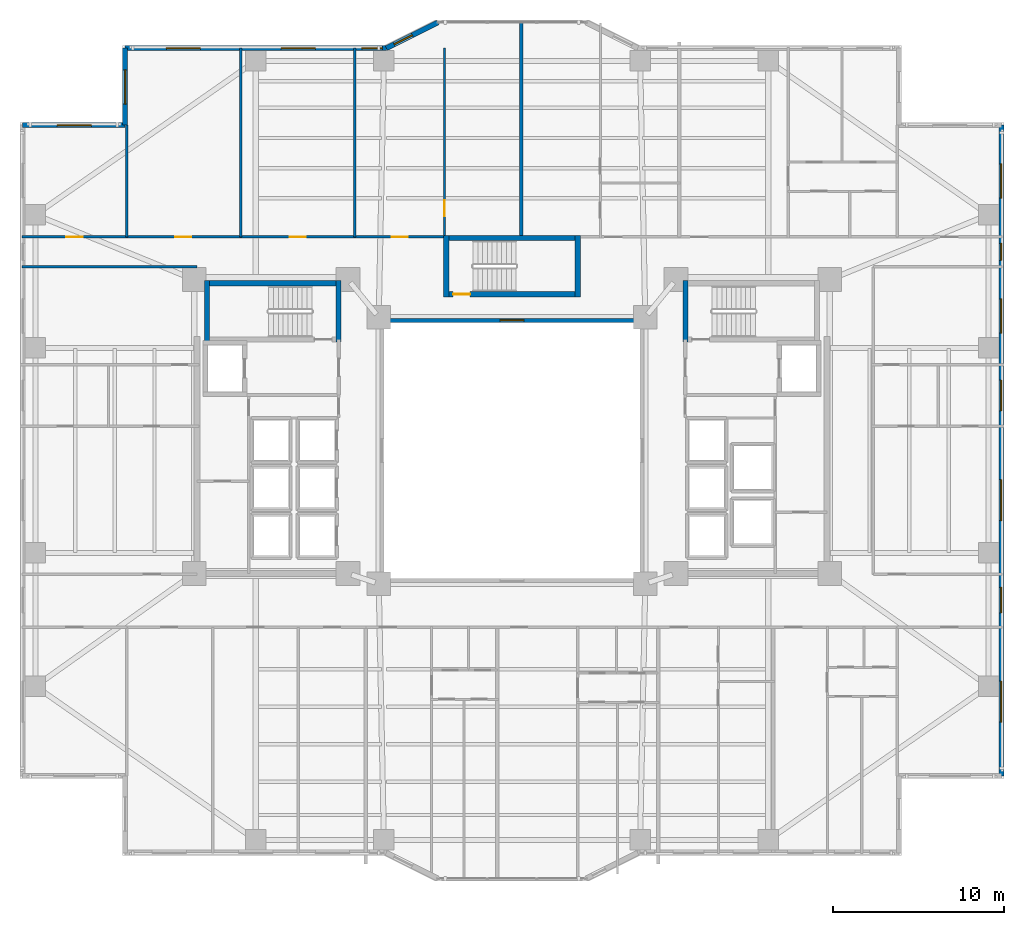
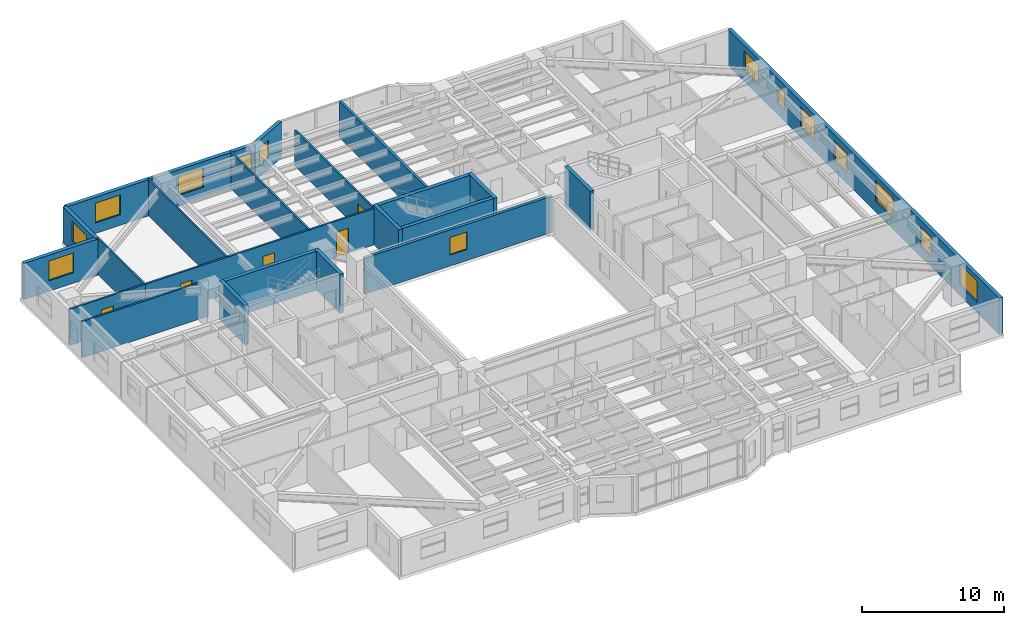
# One storey, part 14 of 21: 22 walls, 14 windows, 6 doors, 20 openings.
"""IFC4 building model written with IfcOpenShell, lengths in metres."""

from ifc_helpers import new_model, si_unit, direction, frame, frame_2d, origin, place, context, subcontext, project, spatial, rectangle, extrude, material, layer, layer_set, type_object, element, fill, save


model = new_model("IFC4")

# Units and contexts
model_context = context("Model", 3, precision=1e-05, world=origin(), true_north=direction((0.0, 1.0)))
body_context = subcontext(model_context, "Body", "Model", "MODEL_VIEW")
ifc_project = project(units=[si_unit("LENGTHUNIT", "METRE"), si_unit("AREAUNIT", "SQUARE_METRE"), si_unit("VOLUMEUNIT", "CUBIC_METRE"), si_unit("PLANEANGLEUNIT", "RADIAN"), si_unit("MASSUNIT", "GRAM", prefix="KILO")], contexts=[model_context])

# Site, building, storey
site_placement = place(None, origin())
site = spatial("IfcSite", under=ifc_project, at=site_placement, CompositionType="ELEMENT")
building_placement = place(site_placement, origin())
building = spatial("IfcBuilding", under=site, at=building_placement, Name="Tarnavaz Court Tower", CompositionType="ELEMENT")
storey_placement = place(building_placement, frame((0.0, 0.0, 47.449951171875)))
storey = spatial("IfcBuildingStorey", under=building, at=storey_placement, Name="L12", CompositionType="ELEMENT", Elevation=47.449951171875)

# Walls
ifc_material_1 = material(Name="Concrete C60/75", Category="concrete")
ifc_layer_1 = layer(ifc_material_1, 0.300048828125)
ifc_layer_set_1 = layer_set([ifc_layer_1], Name="Concrete C60/75")
wall_type_1 = type_object("IfcWallType", Name="WL-CORE-300-C60", PredefinedType="SHEAR", material=ifc_layer_set_1)
wall_1_placement = place(storey_placement, frame((-18.0, 9.7900390625, 0.0), z_axis=(0.0, 0.0, 1.0), x_axis=(1.0, 0.0, 0.0)))
element("IfcWall", 1, at=wall_1_placement, inside=storey, type_object=wall_type_1, Name="L12 West Stair Core Wall 001", PredefinedType="SHEAR", context=body_context, shape_type="SweptSolid", body=[
    extrude(rectangle(XDim=8.0, YDim=0.300048828125, at=frame_2d((4.0, 0.0))), origin(), (0.0, 0.0, 1.0), 3.35009765625),
])
for number, where, z_axis, x_axis, name in (
    (2, (-17.85009765625, 6.35009765625, 0.0), (0.0, 0.0, 1.0), (0.0, 1.0, 0.0), "L12 West Stair Core Wall 003"),
    (3, (-10.14990234375, 6.35009765625, 0.0), (0.0, 0.0, 1.0), (0.0, 1.0, 0.0), "L12 West Stair Core Wall 004"),
    (4, (10.14990234375, 6.35009765625, 0.0), (0.0, 0.0, 1.0), (0.0, 1.0, 0.0), "L12 East Stair Core Wall 007"),
):
    element("IfcWall", number, at=place(storey_placement, frame(where, z_axis=z_axis, x_axis=x_axis)), inside=storey, type_object=wall_type_1, Name=name, PredefinedType="SHEAR", context=body_context, shape_type="SweptSolid", body=[
        extrude(rectangle(XDim=3.58984375, YDim=0.300048828125, at=frame_2d((1.794921875, 0.0))), origin(), (0.0, 0.0, 1.0), 3.35009765625),
    ])
wall_2_placement = place(storey_placement, frame((-4.0, 12.43994140625, 0.0), z_axis=(0.0, 0.0, 1.0), x_axis=(1.0, 0.0, 0.0)))
element("IfcWall", 5, at=wall_2_placement, inside=storey, type_object=wall_type_1, Name="L12 North Stair Core Wall 009", PredefinedType="SHEAR", context=body_context, shape_type="SweptSolid", body=[
    extrude(rectangle(XDim=8.0, YDim=0.300048828125, at=frame_2d((4.0, 0.0))), origin(), (0.0, 0.0, 1.0), 3.35009765625),
])

# Wall, opening, door
wall_3_placement = place(storey_placement, frame((-4.0, 9.14990234375, 0.0), z_axis=(0.0, 0.0, 1.0), x_axis=(1.0, 0.0, 0.0)))
wall_3 = element("IfcWall", 6, at=wall_3_placement, inside=storey, type_object=wall_type_1, Name="L12 North Stair Core Wall 010", PredefinedType="SHEAR", context=body_context, shape_type="SweptSolid", body=[
    extrude(rectangle(XDim=8.0, YDim=0.300048828125, at=frame_2d((4.0, 0.0))), origin(), (0.0, 0.0, 1.0), 3.35009765625),
])
opening_1_placement = place(wall_3_placement, frame((0.550048828125, 0.0, 0.0)))
opening_1 = element("IfcOpeningElement", 7, at=opening_1_placement, cuts=wall_3, Name="Opening D01", PredefinedType="OPENING", context=body_context, shape_type="SweptSolid", body=[
    extrude(rectangle(XDim=1.0, YDim=2.14990234375, at=frame_2d((0.5, 1.074951171875))), frame((0.0, 0.159912109375, 0.0), z_axis=(0.0, -1.0, 0.0), x_axis=(1.0, 0.0, 0.0)), (0.0, 0.0, 1.0), 0.320068359375),
])
ifc_material_2 = material(Name="Fire-Rated Hardwood Timber Core", Category="wood")
door_type_1 = type_object("IfcDoorType", Name="DR-FD90-1000", OperationType="NOTDEFINED", PredefinedType="DOOR", material=ifc_material_2)
door_1_placement = place(opening_1_placement, origin())
door_1 = element("IfcDoor", 8, at=door_1_placement, inside=storey, type_object=door_type_1, Name="L12 Stair ST-N1 Exit Door", OperationType="SINGLE_SWING_LEFT", OverallHeight=2.14990234375, OverallWidth=1.0, PredefinedType="DOOR", context=body_context, shape_type="SweptSolid", body=[
    extrude(rectangle(XDim=1.0, YDim=2.14990234375, at=frame_2d((0.5, 1.074951171875))), frame((0.0, 0.02490234375, 0.0), z_axis=(0.0, -1.0, 0.0), x_axis=(1.0, 0.0, 0.0)), (0.0, 0.0, 1.0), 0.050048828125),
])
fill(opening_1, door_1)

# Walls
for number, where, z_axis, x_axis, name in (
    (9, (-3.85009765625, 9.0, 0.0), (0.0, 0.0, 1.0), (0.0, 1.0, 0.0), "L12 North Stair Core Wall 011"),
    (10, (3.85009765625, 9.0, 0.0), (0.0, 0.0, 1.0), (0.0, 1.0, 0.0), "L12 North Stair Core Wall 012"),
):
    element("IfcWall", number, at=place(storey_placement, frame(where, z_axis=z_axis, x_axis=x_axis)), inside=storey, type_object=wall_type_1, Name=name, PredefinedType="SHEAR", context=body_context, shape_type="SweptSolid", body=[
        extrude(rectangle(XDim=3.590087890625, YDim=0.300048828125, at=frame_2d((1.794921875, 0.0))), origin(), (0.0, 0.0, 1.0), 3.35009765625),
    ])

# Wall, opening, window
ifc_material_3 = material(Name="Precast Concrete C40/50", Category="concrete")
ifc_layer_2 = layer(ifc_material_3, 0.300048828125)
ifc_layer_set_2 = layer_set([ifc_layer_2], Name="Precast Concrete C40/50")
wall_type_2 = type_object("IfcWallType", Name="WL-EXT-300", PredefinedType="SOLIDWALL", material=ifc_layer_set_2)
wall_4_placement = place(storey_placement, frame((-28.64990234375, 19.050048828125, 0.0), z_axis=(0.0, 0.0, 1.0), x_axis=(1.0, 0.0, 0.0)))
wall_4 = element("IfcWall", 11, at=wall_4_placement, inside=storey, type_object=wall_type_2, Name="L12 Exterior Terracotta Facade Wall 03", PredefinedType="SOLIDWALL", context=body_context, shape_type="SweptSolid", body=[
    extrude(rectangle(XDim=6.0, YDim=0.300048828125, at=frame_2d((3.0, 0.0))), origin(), (0.0, 0.0, 1.0), 3.10009765625),
])
opening_2_placement = place(wall_4_placement, frame((2.02490234375, 0.0, 0.89990234375)))
opening_2 = element("IfcOpeningElement", 12, at=opening_2_placement, cuts=wall_4, Name="Opening W08", PredefinedType="OPENING", context=body_context, shape_type="SweptSolid", body=[
    extrude(rectangle(XDim=2.0, YDim=1.699951171875, at=frame_2d((1.0, 0.85009765625))), frame((0.0, 0.159912109375, 0.0), z_axis=(0.0, -1.0, 0.0), x_axis=(1.0, 0.0, 0.0)), (0.0, 0.0, 1.0), 0.320068359375),
])
ifc_material_4 = material(Name="Double-Glazed Solar Low-E Glass", Category="glass")
window_type_1 = type_object("IfcWindowType", Name="WN-APT-2000", PartitioningType="DOUBLE_PANEL_VERTICAL", PredefinedType="WINDOW", material=ifc_material_4)
window_1_placement = place(opening_2_placement, origin())
window_1 = element("IfcWindow", 13, at=window_1_placement, inside=storey, type_object=window_type_1, Name="L12 North-West Corner Sunroom Study Window", OverallHeight=1.699951171875, OverallWidth=2.0, PartitioningType="SINGLE_PANEL", PredefinedType="WINDOW", context=body_context, shape_type="SweptSolid", body=[
    extrude(rectangle(XDim=2.0, YDim=1.699951171875, at=frame_2d((1.0, 0.85009765625))), frame((0.0, 0.030029296875, 0.0), z_axis=(0.0, -1.0, 0.0), x_axis=(1.0, 0.0, 0.0)), (0.0, 0.0, 1.0), 0.06005859375),
])
fill(opening_2, window_1)

wall_5_placement = place(storey_placement, frame((-22.64990234375, 19.050048828125, 0.0), z_axis=(0.0, 0.0, 1.0), x_axis=(0.0, 1.0, 0.0)))
wall_5 = element("IfcWall", 14, at=wall_5_placement, inside=storey, type_object=wall_type_2, Name="L12 Exterior Terracotta Facade Wall 04", PredefinedType="SOLIDWALL", context=body_context, shape_type="SweptSolid", body=[
    extrude(rectangle(XDim=4.5, YDim=0.300048828125, at=frame_2d((2.25, 0.0))), origin(), (0.0, 0.0, 1.0), 3.10009765625),
])
opening_3_placement = place(wall_5_placement, frame((1.232421875, 0.0, 0.89990234375)))
opening_3 = element("IfcOpeningElement", 15, at=opening_3_placement, cuts=wall_5, Name="Opening W08", PredefinedType="OPENING", context=body_context, shape_type="SweptSolid", body=[
    extrude(rectangle(XDim=2.0, YDim=1.699951171875, at=frame_2d((1.0, 0.85009765625))), frame((0.0, 0.159912109375, 0.0), z_axis=(0.0, -1.0, 0.0), x_axis=(1.0, 0.0, 0.0)), (0.0, 0.0, 1.0), 0.320068359375),
])
window_2_placement = place(opening_3_placement, origin())
window_2 = element("IfcWindow", 16, at=window_2_placement, inside=storey, type_object=window_type_1, Name="L12 Resident Fitness and Yoga Studio Window", OverallHeight=1.699951171875, OverallWidth=2.0, PartitioningType="SINGLE_PANEL", PredefinedType="WINDOW", context=body_context, shape_type="SweptSolid", body=[
    extrude(rectangle(XDim=2.0, YDim=1.699951171875, at=frame_2d((1.0, 0.85009765625))), frame((0.0, 0.030029296875, 0.0), z_axis=(0.0, -1.0, 0.0), x_axis=(1.0, 0.0, 0.0)), (0.0, 0.0, 1.0), 0.06005859375),
])
fill(opening_3, window_2)

# Wall, openings, windows
wall_6_placement = place(storey_placement, frame((-22.64990234375, 23.550048828125, 0.0), z_axis=(0.0, 0.0, 1.0), x_axis=(1.0, 0.0, 0.0)))
wall_6 = element("IfcWall", 17, at=wall_6_placement, inside=storey, type_object=wall_type_2, Name="L12 Exterior Terracotta Facade Wall 05", PredefinedType="SOLIDWALL", context=body_context, shape_type="SweptSolid", body=[
    extrude(rectangle(XDim=15.2998046875, YDim=0.300048828125, at=frame_2d((7.64990234375, 0.0))), origin(), (0.0, 0.0, 1.0), 3.10009765625),
])
opening_4_placement = place(wall_6_placement, frame((2.4111328125, 0.0, 0.89990234375)))
opening_4 = element("IfcOpeningElement", 18, at=opening_4_placement, cuts=wall_6, Name="Opening W08", PredefinedType="OPENING", context=body_context, shape_type="SweptSolid", body=[
    extrude(rectangle(XDim=2.0, YDim=1.699951171875, at=frame_2d((1.0, 0.85009765625))), frame((0.0, 0.159912109375, 0.0), z_axis=(0.0, -1.0, 0.0), x_axis=(1.0, 0.0, 0.0)), (0.0, 0.0, 1.0), 0.320068359375),
])
opening_5_placement = place(wall_6_placement, frame((9.133056640625, 0.0, 0.89990234375)))
opening_5 = element("IfcOpeningElement", 19, at=opening_5_placement, cuts=wall_6, Name="Opening W08", PredefinedType="OPENING", context=body_context, shape_type="SweptSolid", body=[
    extrude(rectangle(XDim=2.0, YDim=1.699951171875, at=frame_2d((1.0, 0.85009765625))), frame((0.0, 0.159912109375, 0.0), z_axis=(0.0, -1.0, 0.0), x_axis=(1.0, 0.0, 0.0)), (0.0, 0.0, 1.0), 0.320068359375),
])
opening_6_placement = place(wall_6_placement, frame((13.862060546875, 0.0, 0.949951171875)))
opening_6 = element("IfcOpeningElement", 20, at=opening_6_placement, cuts=wall_6, Name="Opening W05", PredefinedType="OPENING", context=body_context, shape_type="SweptSolid", body=[
    extrude(rectangle(XDim=1.199951171875, YDim=1.5, at=frame_2d((0.60009765625, 0.75))), frame((0.0, 0.159912109375, 0.0), z_axis=(0.0, -1.0, 0.0), x_axis=(1.0, 0.0, 0.0)), (0.0, 0.0, 1.0), 0.320068359375),
])
window_type_2 = type_object("IfcWindowType", Name="WN-APT-1200", PartitioningType="SINGLE_PANEL", PredefinedType="WINDOW", material=ifc_material_4)
window_3_placement = place(opening_6_placement, origin())
window_3 = element("IfcWindow", 21, at=window_3_placement, inside=storey, type_object=window_type_2, Name="L12 Shared Community Tea Pantry Window", OverallHeight=1.5, OverallWidth=1.199951171875, PartitioningType="SINGLE_PANEL", PredefinedType="WINDOW", context=body_context, shape_type="SweptSolid", body=[
    extrude(rectangle(XDim=1.199951171875, YDim=1.5, at=frame_2d((0.60009765625, 0.75))), frame((0.0, 0.030029296875, 0.0), z_axis=(0.0, -1.0, 0.0), x_axis=(1.0, 0.0, 0.0)), (0.0, 0.0, 1.0), 0.06005859375),
])
fill(opening_6, window_3)
window_4_placement = place(opening_4_placement, origin())
window_4 = element("IfcWindow", 22, at=window_4_placement, inside=storey, type_object=window_type_1, Name="L12 Resident Fitness and Yoga Studio Window", OverallHeight=1.699951171875, OverallWidth=2.0, PartitioningType="SINGLE_PANEL", PredefinedType="WINDOW", context=body_context, shape_type="SweptSolid", body=[
    extrude(rectangle(XDim=2.0, YDim=1.699951171875, at=frame_2d((1.0, 0.85009765625))), frame((0.0, 0.030029296875, 0.0), z_axis=(0.0, -1.0, 0.0), x_axis=(1.0, 0.0, 0.0)), (0.0, 0.0, 1.0), 0.06005859375),
])
fill(opening_4, window_4)
window_5_placement = place(opening_5_placement, origin())
window_5 = element("IfcWindow", 23, at=window_5_placement, inside=storey, type_object=window_type_1, Name="L12 Children Playroom and Daycare Window", OverallHeight=1.699951171875, OverallWidth=2.0, PartitioningType="SINGLE_PANEL", PredefinedType="WINDOW", context=body_context, shape_type="SweptSolid", body=[
    extrude(rectangle(XDim=2.0, YDim=1.699951171875, at=frame_2d((1.0, 0.85009765625))), frame((0.0, 0.030029296875, 0.0), z_axis=(0.0, -1.0, 0.0), x_axis=(1.0, 0.0, 0.0)), (0.0, 0.0, 1.0), 0.06005859375),
])
fill(opening_5, window_5)

# Wall, opening, window
wall_7_placement = place(storey_placement, frame((-7.35009765625, 23.550048828125, 0.0), z_axis=(0.0, 0.0, 1.0), x_axis=(0.894427191, 0.4472135955, 0.0)))
wall_7 = element("IfcWall", 24, at=wall_7_placement, inside=storey, type_object=wall_type_2, Name="L12 Exterior Terracotta Facade Wall 06", PredefinedType="SOLIDWALL", context=body_context, shape_type="SweptSolid", body=[
    extrude(rectangle(XDim=3.35400390625, YDim=0.300048828125, at=frame_2d((1.677001953125, 0.0))), origin(), (0.0, 0.0, 1.0), 3.10009765625),
])
opening_7_placement = place(wall_7_placement, frame((0.501220703125, 0.0, 0.949951171875)))
opening_7 = element("IfcOpeningElement", 25, at=opening_7_placement, cuts=wall_7, Name="Opening W05", PredefinedType="OPENING", context=body_context, shape_type="SweptSolid", body=[
    extrude(rectangle(XDim=1.199951171875, YDim=1.5, at=frame_2d((0.60009765625, 0.75))), frame((0.0, 0.159912109375, 0.0), z_axis=(0.0, -1.0, 0.0), x_axis=(1.0, 0.0, 0.0)), (0.0, 0.0, 1.0), 0.320068359375),
])
window_6_placement = place(opening_7_placement, origin())
window_6 = element("IfcWindow", 26, at=window_6_placement, inside=storey, type_object=window_type_2, Name="L12 Shared Community Tea Pantry Window", OverallHeight=1.5, OverallWidth=1.199951171875, PartitioningType="SINGLE_PANEL", PredefinedType="WINDOW", context=body_context, shape_type="SweptSolid", body=[
    extrude(rectangle(XDim=1.199951171875, YDim=1.5, at=frame_2d((0.60009765625, 0.75))), frame((0.0, 0.030029296875, 0.0), z_axis=(0.0, -1.0, 0.0), x_axis=(1.0, 0.0, 0.0)), (0.0, 0.0, 1.0), 0.06005859375),
])
fill(opening_7, window_6)

# Wall, openings, windows
wall_8_placement = place(storey_placement, frame((28.64990234375, 19.050048828125, 0.0), z_axis=(0.0, 0.0, 1.0), x_axis=(0.0, -1.0, 0.0)))
wall_8 = element("IfcWall", 27, at=wall_8_placement, inside=storey, type_object=wall_type_2, Name="L12 Exterior Terracotta Facade Wall 12", PredefinedType="SOLIDWALL", context=body_context, shape_type="SweptSolid", body=[
    extrude(rectangle(XDim=38.10009765625, YDim=0.300048828125, at=frame_2d((19.050048828125, 0.0))), origin(), (0.0, 0.0, 1.0), 3.10009765625),
])
opening_8_placement = place(wall_8_placement, frame((2.27490234375, 0.0, 0.89990234375)))
opening_8 = element("IfcOpeningElement", 28, at=opening_8_placement, cuts=wall_8, Name="Opening W08", PredefinedType="OPENING", context=body_context, shape_type="SweptSolid", body=[
    extrude(rectangle(XDim=2.0, YDim=1.699951171875, at=frame_2d((1.0, 0.85009765625))), frame((0.0, 0.159912109375, 0.0), z_axis=(0.0, -1.0, 0.0), x_axis=(1.0, 0.0, 0.0)), (0.0, 0.0, 1.0), 0.320068359375),
])
opening_9_placement = place(wall_8_placement, frame((6.925048828125, 0.0, 0.949951171875)))
opening_9 = element("IfcOpeningElement", 29, at=opening_9_placement, cuts=wall_8, Name="Opening W14", PredefinedType="OPENING", context=body_context, shape_type="SweptSolid", body=[
    extrude(rectangle(XDim=1.0, YDim=1.5, at=frame_2d((0.5, 0.75))), frame((0.0, 0.159912109375, 0.0), z_axis=(0.0, -1.0, 0.0), x_axis=(1.0, 0.0, 0.0)), (0.0, 0.0, 1.0), 0.320068359375),
])
opening_10_placement = place(wall_8_placement, frame((10.175048828125, 0.0, 0.89990234375)))
opening_10 = element("IfcOpeningElement", 30, at=opening_10_placement, cuts=wall_8, Name="Opening W08", PredefinedType="OPENING", context=body_context, shape_type="SweptSolid", body=[
    extrude(rectangle(XDim=2.0, YDim=1.699951171875, at=frame_2d((1.0, 0.85009765625))), frame((0.0, 0.159912109375, 0.0), z_axis=(0.0, -1.0, 0.0), x_axis=(1.0, 0.0, 0.0)), (0.0, 0.0, 1.0), 0.320068359375),
])
opening_11_placement = place(wall_8_placement, frame((14.925048828125, 0.0, 0.89990234375)))
opening_11 = element("IfcOpeningElement", 31, at=opening_11_placement, cuts=wall_8, Name="Opening W01", PredefinedType="OPENING", context=body_context, shape_type="SweptSolid", body=[
    extrude(rectangle(XDim=1.800048828125, YDim=1.64990234375, at=frame_2d((0.89990234375, 0.824951171875))), frame((0.0, 0.159912109375, 0.0), z_axis=(0.0, -1.0, 0.0), x_axis=(1.0, 0.0, 0.0)), (0.0, 0.0, 1.0), 0.320068359375),
])
opening_12_placement = place(wall_8_placement, frame((20.75, 0.0, 0.89990234375)))
opening_12 = element("IfcOpeningElement", 32, at=opening_12_placement, cuts=wall_8, Name="Opening W06", PredefinedType="OPENING", context=body_context, shape_type="SweptSolid", body=[
    extrude(rectangle(XDim=2.39990234375, YDim=1.800048828125, at=frame_2d((1.199951171875, 0.89990234375))), frame((0.0, 0.159912109375, 0.0), z_axis=(0.0, -1.0, 0.0), x_axis=(1.0, 0.0, 0.0)), (0.0, 0.0, 1.0), 0.320068359375),
])
opening_13_placement = place(wall_8_placement, frame((27.0576171875, 0.0, 0.89990234375)))
opening_13 = element("IfcOpeningElement", 33, at=opening_13_placement, cuts=wall_8, Name="Opening W03", PredefinedType="OPENING", context=body_context, shape_type="SweptSolid", body=[
    extrude(rectangle(XDim=1.5, YDim=1.64990234375, at=frame_2d((0.75, 0.824951171875))), frame((0.0, 0.159912109375, 0.0), z_axis=(0.0, -1.0, 0.0), x_axis=(1.0, 0.0, 0.0)), (0.0, 0.0, 1.0), 0.320068359375),
])
opening_14_placement = place(wall_8_placement, frame((32.550048828125, 0.0, 0.89990234375)))
opening_14 = element("IfcOpeningElement", 34, at=opening_14_placement, cuts=wall_8, Name="Opening W06", PredefinedType="OPENING", context=body_context, shape_type="SweptSolid", body=[
    extrude(rectangle(XDim=2.39990234375, YDim=1.800048828125, at=frame_2d((1.199951171875, 0.89990234375))), frame((0.0, 0.159912109375, 0.0), z_axis=(0.0, -1.0, 0.0), x_axis=(1.0, 0.0, 0.0)), (0.0, 0.0, 1.0), 0.320068359375),
])
window_type_3 = type_object("IfcWindowType", Name="WN-APT-1000", PartitioningType="SINGLE_PANEL", PredefinedType="WINDOW", material=ifc_material_4)
window_7_placement = place(opening_9_placement, origin())
window_7 = element("IfcWindow", 35, at=window_7_placement, inside=storey, type_object=window_type_3, Name="L12 North-East Corner Corridor Window", OverallHeight=1.5, OverallWidth=1.0, PartitioningType="SINGLE_PANEL", PredefinedType="WINDOW", context=body_context, shape_type="SweptSolid", body=[
    extrude(rectangle(XDim=1.0, YDim=1.5, at=frame_2d((0.5, 0.75))), frame((0.0, 0.030029296875, 0.0), z_axis=(0.0, -1.0, 0.0), x_axis=(1.0, 0.0, 0.0)), (0.0, 0.0, 1.0), 0.06005859375),
])
fill(opening_9, window_7)
window_type_4 = type_object("IfcWindowType", Name="WN-APT-1500", PartitioningType="DOUBLE_PANEL_VERTICAL", PredefinedType="WINDOW", material=ifc_material_4)
window_8_placement = place(opening_13_placement, origin())
window_8 = element("IfcWindow", 36, at=window_8_placement, inside=storey, type_object=window_type_4, Name="L12 South-East Corner Corridor Window", OverallHeight=1.64990234375, OverallWidth=1.5, PartitioningType="SINGLE_PANEL", PredefinedType="WINDOW", context=body_context, shape_type="SweptSolid", body=[
    extrude(rectangle(XDim=1.5, YDim=1.64990234375, at=frame_2d((0.75, 0.824951171875))), frame((0.0, 0.030029296875, 0.0), z_axis=(0.0, -1.0, 0.0), x_axis=(1.0, 0.0, 0.0)), (0.0, 0.0, 1.0), 0.06005859375),
])
fill(opening_13, window_8)
window_type_5 = type_object("IfcWindowType", Name="WN-APT-1800", PartitioningType="DOUBLE_PANEL_VERTICAL", PredefinedType="WINDOW", material=ifc_material_4)
window_9_placement = place(opening_11_placement, origin())
window_9 = element("IfcWindow", 37, at=window_9_placement, inside=storey, type_object=window_type_5, Name="L12 Flat 08 Bathroom Window", OverallHeight=1.64990234375, OverallWidth=1.800048828125, PartitioningType="SINGLE_PANEL", PredefinedType="WINDOW", context=body_context, shape_type="SweptSolid", body=[
    extrude(rectangle(XDim=1.800048828125, YDim=1.64990234375, at=frame_2d((0.89990234375, 0.824951171875))), frame((0.0, 0.030029296875, 0.0), z_axis=(0.0, -1.0, 0.0), x_axis=(1.0, 0.0, 0.0)), (0.0, 0.0, 1.0), 0.06005859375),
])
fill(opening_11, window_9)
window_10_placement = place(opening_8_placement, origin())
window_10 = element("IfcWindow", 38, at=window_10_placement, inside=storey, type_object=window_type_1, Name="L12 North-East Corner Sunroom Study Window", OverallHeight=1.699951171875, OverallWidth=2.0, PartitioningType="SINGLE_PANEL", PredefinedType="WINDOW", context=body_context, shape_type="SweptSolid", body=[
    extrude(rectangle(XDim=2.0, YDim=1.699951171875, at=frame_2d((1.0, 0.85009765625))), frame((0.0, 0.030029296875, 0.0), z_axis=(0.0, -1.0, 0.0), x_axis=(1.0, 0.0, 0.0)), (0.0, 0.0, 1.0), 0.06005859375),
])
fill(opening_8, window_10)
window_11_placement = place(opening_10_placement, origin())
window_11 = element("IfcWindow", 39, at=window_11_placement, inside=storey, type_object=window_type_1, Name="L12 Flat 08 Study Room Window", OverallHeight=1.699951171875, OverallWidth=2.0, PartitioningType="SINGLE_PANEL", PredefinedType="WINDOW", context=body_context, shape_type="SweptSolid", body=[
    extrude(rectangle(XDim=2.0, YDim=1.699951171875, at=frame_2d((1.0, 0.85009765625))), frame((0.0, 0.030029296875, 0.0), z_axis=(0.0, -1.0, 0.0), x_axis=(1.0, 0.0, 0.0)), (0.0, 0.0, 1.0), 0.06005859375),
])
fill(opening_10, window_11)
window_type_6 = type_object("IfcWindowType", Name="WN-APT-2400", PartitioningType="TRIPLE_PANEL_VERTICAL", PredefinedType="WINDOW", material=ifc_material_4)
window_12_placement = place(opening_12_placement, origin())
window_12 = element("IfcWindow", 40, at=window_12_placement, inside=storey, type_object=window_type_6, Name="L12 Flat 08 Studio Living and Sleeping Room Window", OverallHeight=1.800048828125, OverallWidth=2.39990234375, PartitioningType="SINGLE_PANEL", PredefinedType="WINDOW", context=body_context, shape_type="SweptSolid", body=[
    extrude(rectangle(XDim=2.39990234375, YDim=1.800048828125, at=frame_2d((1.199951171875, 0.89990234375))), frame((0.0, 0.030029296875, 0.0), z_axis=(0.0, -1.0, 0.0), x_axis=(1.0, 0.0, 0.0)), (0.0, 0.0, 1.0), 0.06005859375),
])
fill(opening_12, window_12)
window_13_placement = place(opening_14_placement, origin())
window_13 = element("IfcWindow", 41, at=window_13_placement, inside=storey, type_object=window_type_6, Name="L12 South-East Corner Reading Room Window", OverallHeight=1.800048828125, OverallWidth=2.39990234375, PartitioningType="SINGLE_PANEL", PredefinedType="WINDOW", context=body_context, shape_type="SweptSolid", body=[
    extrude(rectangle(XDim=2.39990234375, YDim=1.800048828125, at=frame_2d((1.199951171875, 0.89990234375))), frame((0.0, 0.030029296875, 0.0), z_axis=(0.0, -1.0, 0.0), x_axis=(1.0, 0.0, 0.0)), (0.0, 0.0, 1.0), 0.06005859375),
])
fill(opening_14, window_13)

# Wall, openings, doors
ifc_material_5 = material(Name="Gypsum Fire-Board on Acoustic Metal Stud", Category="masonry")
ifc_layer_3 = layer(ifc_material_5, 0.14990234375)
ifc_layer_set_3 = layer_set([ifc_layer_3], Name="Gypsum Fire-Board on Acoustic Metal Stud")
wall_type_3 = type_object("IfcWallType", Name="WL-FIRE-150", PredefinedType="PARTITIONING", material=ifc_layer_set_3)
wall_9_placement = place(storey_placement, frame((-22.550048828125, 12.5, 0.0), z_axis=(0.0, 0.0, 1.0), x_axis=(1.0, 0.0, 0.0)))
wall_9 = element("IfcWall", 42, at=wall_9_placement, inside=storey, type_object=wall_type_3, Name="L12 NW Wing Corridor Wall 081", PredefinedType="PARTITIONING", context=body_context, shape_type="SweptSolid", body=[
    extrude(rectangle(XDim=18.699951171875, YDim=0.14990234375, at=frame_2d((9.35009765625, 0.0))), origin(), (0.0, 0.0, 1.0), 3.10009765625),
])
opening_15_placement = place(wall_9_placement, frame((2.83203125, 0.0, 0.0)))
opening_15 = element("IfcOpeningElement", 43, at=opening_15_placement, cuts=wall_9, Name="Opening D13", PredefinedType="OPENING", context=body_context, shape_type="SweptSolid", body=[
    extrude(rectangle(XDim=0.949951171875, YDim=2.14990234375, at=frame_2d((0.47509765625, 1.074951171875))), frame((0.0, 0.0849609375, 0.0), z_axis=(0.0, -1.0, 0.0), x_axis=(1.0, 0.0, 0.0)), (0.0, 0.0, 1.0), 0.169921875),
])
opening_16_placement = place(wall_9_placement, frame((9.537109375, 0.0, 0.0)))
opening_16 = element("IfcOpeningElement", 44, at=opening_16_placement, cuts=wall_9, Name="Opening D13", PredefinedType="OPENING", context=body_context, shape_type="SweptSolid", body=[
    extrude(rectangle(XDim=0.949951171875, YDim=2.14990234375, at=frame_2d((0.47509765625, 1.074951171875))), frame((0.0, 0.0849609375, 0.0), z_axis=(0.0, -1.0, 0.0), x_axis=(1.0, 0.0, 0.0)), (0.0, 0.0, 1.0), 0.169921875),
])
opening_17_placement = place(wall_9_placement, frame((15.5, 0.0, 0.0)))
opening_17 = element("IfcOpeningElement", 45, at=opening_17_placement, cuts=wall_9, Name="Opening D13", PredefinedType="OPENING", context=body_context, shape_type="SweptSolid", body=[
    extrude(rectangle(XDim=0.949951171875, YDim=2.14990234375, at=frame_2d((0.47509765625, 1.074951171875))), frame((0.0, 0.0849609375, 0.0), z_axis=(0.0, -1.0, 0.0), x_axis=(1.0, 0.0, 0.0)), (0.0, 0.0, 1.0), 0.169921875),
])
ifc_material_6 = material(Name="Engineered Oak Timber", Category="wood")
door_type_2 = type_object("IfcDoorType", Name="DR-INT-950", OperationType="NOTDEFINED", PredefinedType="DOOR", material=ifc_material_6)
door_2_placement = place(opening_15_placement, origin())
door_2 = element("IfcDoor", 46, at=door_2_placement, inside=storey, type_object=door_type_2, Name="L12 Resident Fitness and Yoga Studio Door", OperationType="SINGLE_SWING_LEFT", OverallHeight=2.14990234375, OverallWidth=0.949951171875, PredefinedType="DOOR", context=body_context, shape_type="SweptSolid", body=[
    extrude(rectangle(XDim=0.949951171875, YDim=2.14990234375, at=frame_2d((0.47509765625, 1.074951171875))), frame((0.0, 0.02490234375, 0.0), z_axis=(0.0, -1.0, 0.0), x_axis=(1.0, 0.0, 0.0)), (0.0, 0.0, 1.0), 0.050048828125),
])
fill(opening_15, door_2)
door_3_placement = place(opening_16_placement, origin())
door_3 = element("IfcDoor", 47, at=door_3_placement, inside=storey, type_object=door_type_2, Name="L12 Children Playroom and Daycare Door", OperationType="SINGLE_SWING_RIGHT", OverallHeight=2.14990234375, OverallWidth=0.949951171875, PredefinedType="DOOR", context=body_context, shape_type="SweptSolid", body=[
    extrude(rectangle(XDim=0.949951171875, YDim=2.14990234375, at=frame_2d((0.47509765625, 1.074951171875))), frame((0.0, 0.02490234375, 0.0), z_axis=(0.0, -1.0, 0.0), x_axis=(1.0, 0.0, 0.0)), (0.0, 0.0, 1.0), 0.050048828125),
])
fill(opening_16, door_3)
door_4_placement = place(opening_17_placement, origin())
door_4 = element("IfcDoor", 48, at=door_4_placement, inside=storey, type_object=door_type_2, Name="L12 Shared Community Tea Pantry Door", OperationType="SINGLE_SWING_LEFT", OverallHeight=2.14990234375, OverallWidth=0.949951171875, PredefinedType="DOOR", context=body_context, shape_type="SweptSolid", body=[
    extrude(rectangle(XDim=0.949951171875, YDim=2.14990234375, at=frame_2d((0.47509765625, 1.074951171875))), frame((0.0, 0.02490234375, 0.0), z_axis=(0.0, -1.0, 0.0), x_axis=(1.0, 0.0, 0.0)), (0.0, 0.0, 1.0), 0.050048828125),
])
fill(opening_17, door_4)

# Wall
wall_10_placement = place(storey_placement, frame((-28.679931640625, 10.75, 0.0), z_axis=(0.0, 0.0, 1.0), x_axis=(1.0, 0.0, 0.0)))
element("IfcWall", 49, at=wall_10_placement, inside=storey, type_object=wall_type_3, Name="L12 Interior Partition 129", PredefinedType="PARTITIONING", context=body_context, shape_type="SweptSolid", body=[
    extrude(rectangle(XDim=10.22998046875, YDim=0.14990234375, at=frame_2d((5.114990234375, 0.0))), origin(), (0.0, 0.0, 1.0), 3.10009765625),
])

# Wall, opening, door
wall_11_placement = place(storey_placement, frame((-28.679931640625, 12.5, 0.0), z_axis=(0.0, 0.0, 1.0), x_axis=(1.0, 0.0, 0.0)))
wall_11 = element("IfcWall", 50, at=wall_11_placement, inside=storey, type_object=wall_type_3, Name="L12 Interior Partition 136", PredefinedType="PARTITIONING", context=body_context, shape_type="SweptSolid", body=[
    extrude(rectangle(XDim=6.1298828125, YDim=0.14990234375, at=frame_2d((3.06494140625, 0.0))), origin(), (0.0, 0.0, 1.0), 3.10009765625),
])
opening_18_placement = place(wall_11_placement, frame((2.590087890625, 0.0, 0.0)))
opening_18 = element("IfcOpeningElement", 51, at=opening_18_placement, cuts=wall_11, Name="Opening D13", PredefinedType="OPENING", context=body_context, shape_type="SweptSolid", body=[
    extrude(rectangle(XDim=0.949951171875, YDim=2.14990234375, at=frame_2d((0.47509765625, 1.074951171875))), frame((0.0, 0.0849609375, 0.0), z_axis=(0.0, -1.0, 0.0), x_axis=(1.0, 0.0, 0.0)), (0.0, 0.0, 1.0), 0.169921875),
])
door_5_placement = place(opening_18_placement, origin())
door_5 = element("IfcDoor", 52, at=door_5_placement, inside=storey, type_object=door_type_2, Name="L12 NW Sunroom Door", OperationType="SINGLE_SWING_RIGHT", OverallHeight=2.14990234375, OverallWidth=0.949951171875, PredefinedType="DOOR", context=body_context, shape_type="SweptSolid", body=[
    extrude(rectangle(XDim=0.949951171875, YDim=2.14990234375, at=frame_2d((0.47509765625, 1.074951171875))), frame((0.0, 0.02490234375, 0.0), z_axis=(0.0, -1.0, 0.0), x_axis=(1.0, 0.0, 0.0)), (0.0, 0.0, 1.0), 0.050048828125),
])
fill(opening_18, door_5)

# Wall
ifc_material_7 = material(Name="Autoclaved Aerated Concrete Blockwork", Category="masonry")
ifc_layer_4 = layer(ifc_material_7, 0.199951171875)
ifc_layer_set_4 = layer_set([ifc_layer_4], Name="Autoclaved Aerated Concrete Blockwork")
wall_type_4 = type_object("IfcWallType", Name="WL-FIRE-200", PredefinedType="SOLIDWALL", material=ifc_layer_set_4)
wall_12_placement = place(storey_placement, frame((0.550048828125, 12.5, 0.0), z_axis=(0.0, 0.0, 1.0), x_axis=(0.0, 1.0, 0.0)))
element("IfcWall", 53, at=wall_12_placement, inside=storey, type_object=wall_type_4, Name="L12 North Center Party Wall 087", PredefinedType="SOLIDWALL", context=body_context, shape_type="SweptSolid", body=[
    extrude(rectangle(XDim=12.580078125, YDim=0.199951171875, at=frame_2d((6.2900390625, 0.0))), origin(), (0.0, 0.0, 1.0), 3.10009765625),
])

# Wall, opening, door
ifc_material_8 = material(Name="Gypsum Plasterboard Acoustic Partition", Category="masonry")
ifc_layer_5 = layer(ifc_material_8, 0.139892578125)
ifc_layer_set_5 = layer_set([ifc_layer_5], Name="Gypsum Plasterboard Acoustic Partition")
wall_type_5 = type_object("IfcWallType", Name="WL-PART-150", PredefinedType="PARTITIONING", material=ifc_layer_set_5)
wall_13_placement = place(storey_placement, frame((-3.949951171875, 12.5, 0.0), z_axis=(0.0, 0.0, 1.0), x_axis=(0.0, 1.0, 0.0)))
wall_13 = element("IfcWall", 54, at=wall_13_placement, inside=storey, type_object=wall_type_5, Name="L12 Interior Partition 088", PredefinedType="PARTITIONING", context=body_context, shape_type="SweptSolid", body=[
    extrude(rectangle(XDim=11.050048828125, YDim=0.139892578125, at=frame_2d((5.52490234375, 0.0))), origin(), (0.0, 0.0, 1.0), 3.10009765625),
])
opening_19_placement = place(wall_13_placement, frame((1.199951171875, 0.0, 0.0)))
opening_19 = element("IfcOpeningElement", 55, at=opening_19_placement, cuts=wall_13, Name="Opening D13", PredefinedType="OPENING", context=body_context, shape_type="SweptSolid", body=[
    extrude(rectangle(XDim=0.949951171875, YDim=2.14990234375, at=frame_2d((0.47509765625, 1.074951171875))), frame((0.0, 0.079833984375, 0.0), z_axis=(0.0, -1.0, 0.0), x_axis=(1.0, 0.0, 0.0)), (0.0, 0.0, 1.0), 0.159912109375),
])
door_6_placement = place(opening_19_placement, origin())
door_6 = element("IfcDoor", 56, at=door_6_placement, inside=storey, type_object=door_type_2, Name="L12 NW Iwan Study Door", OperationType="SINGLE_SWING_RIGHT", OverallHeight=2.14990234375, OverallWidth=0.949951171875, PredefinedType="DOOR", context=body_context, shape_type="SweptSolid", body=[
    extrude(rectangle(XDim=0.949951171875, YDim=2.14990234375, at=frame_2d((0.47509765625, 1.074951171875))), frame((0.0, 0.02490234375, 0.0), z_axis=(0.0, -1.0, 0.0), x_axis=(1.0, 0.0, 0.0)), (0.0, 0.0, 1.0), 0.050048828125),
])
fill(opening_19, door_6)

# Walls
for number, where, z_axis, x_axis, name in (
    (57, (-15.8759765625, 12.5, 0.0), (0.0, 0.0, 1.0), (0.0, 1.0, 0.0), "L12 Interior Partition 089"),
    (58, (-9.200927734375, 12.5, 0.0), (0.0, 0.0, 1.0), (0.0, 1.0, 0.0), "L12 Interior Partition 090"),
):
    element("IfcWall", number, at=place(storey_placement, frame(where, z_axis=z_axis, x_axis=x_axis)), inside=storey, type_object=wall_type_5, Name=name, PredefinedType="PARTITIONING", context=body_context, shape_type="SweptSolid", body=[
        extrude(rectangle(XDim=11.050048828125, YDim=0.139892578125, at=frame_2d((5.52490234375, 0.0))), origin(), (0.0, 0.0, 1.0), 3.10009765625),
    ])
wall_14_placement = place(storey_placement, frame((-22.550048828125, 12.5, 0.0), z_axis=(0.0, 0.0, 1.0), x_axis=(0.0, 1.0, 0.0)))
element("IfcWall", 59, at=wall_14_placement, inside=storey, type_object=wall_type_5, Name="L12 Interior Partition 134", PredefinedType="PARTITIONING", context=body_context, shape_type="SweptSolid", body=[
    extrude(rectangle(XDim=6.550048828125, YDim=0.139892578125, at=frame_2d((3.27490234375, 0.0))), origin(), (0.0, 0.0, 1.0), 3.10009765625),
])

# Wall, opening, window
ifc_layer_6 = layer(ifc_material_3, 0.239990234375)
ifc_layer_set_6 = layer_set([ifc_layer_6], Name="Precast Concrete C40/50")
wall_type_6 = type_object("IfcWallType", Name="WL-WELL-240", PredefinedType="SOLIDWALL", material=ifc_layer_set_6)
wall_15_placement = place(storey_placement, frame((7.6201171875, 7.6201171875, 0.0), z_axis=(0.0, 0.0, 1.0), x_axis=(-1.0, 0.0, 0.0)))
wall_15 = element("IfcWall", 60, at=wall_15_placement, inside=storey, type_object=wall_type_6, Name="L12 Badgir Light-Well Exterior Wall N", PredefinedType="SOLIDWALL", context=body_context, shape_type="SweptSolid", body=[
    extrude(rectangle(XDim=15.240234375, YDim=0.239990234375, at=frame_2d((7.6201171875, 0.0))), origin(), (0.0, 0.0, 1.0), 3.10009765625),
])
opening_20_placement = place(wall_15_placement, frame((6.919921875, 0.0, 0.949951171875)))
opening_20 = element("IfcOpeningElement", 61, at=opening_20_placement, cuts=wall_15, Name="Opening W13", PredefinedType="OPENING", context=body_context, shape_type="SweptSolid", body=[
    extrude(rectangle(XDim=1.39990234375, YDim=1.5, at=frame_2d((0.699951171875, 0.75))), frame((0.0, 0.1298828125, 0.0), z_axis=(0.0, -1.0, 0.0), x_axis=(1.0, 0.0, 0.0)), (0.0, 0.0, 1.0), 0.260009765625),
])
window_type_7 = type_object("IfcWindowType", Name="WN-WEL-1400", PartitioningType="SINGLE_PANEL", PredefinedType="WINDOW", material=ifc_material_4)
window_14_placement = place(opening_20_placement, origin())
window_14 = element("IfcWindow", 62, at=window_14_placement, inside=storey, type_object=window_type_7, Name="L12 Courtyard Gallery Window N", OverallHeight=1.5, OverallWidth=1.39990234375, PartitioningType="SINGLE_PANEL", PredefinedType="WINDOW", context=body_context, shape_type="SweptSolid", body=[
    extrude(rectangle(XDim=1.39990234375, YDim=1.5, at=frame_2d((0.699951171875, 0.75))), frame((0.0, 0.030029296875, 0.0), z_axis=(0.0, -1.0, 0.0), x_axis=(1.0, 0.0, 0.0)), (0.0, 0.0, 1.0), 0.06005859375),
])
fill(opening_20, window_14)

save(model, "model.ifc")
